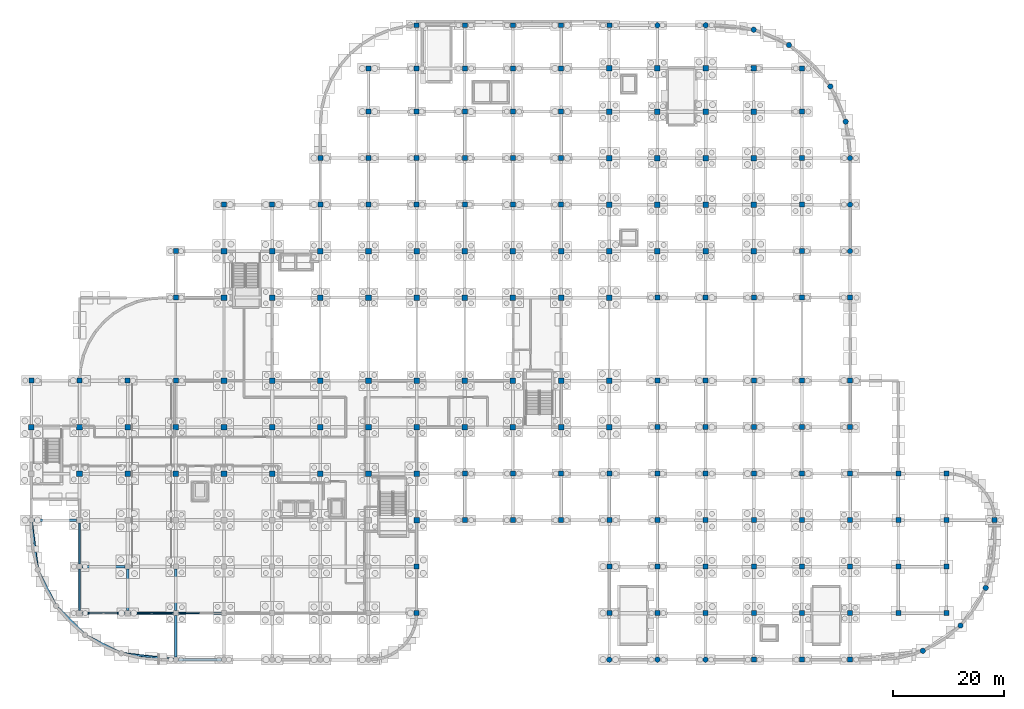
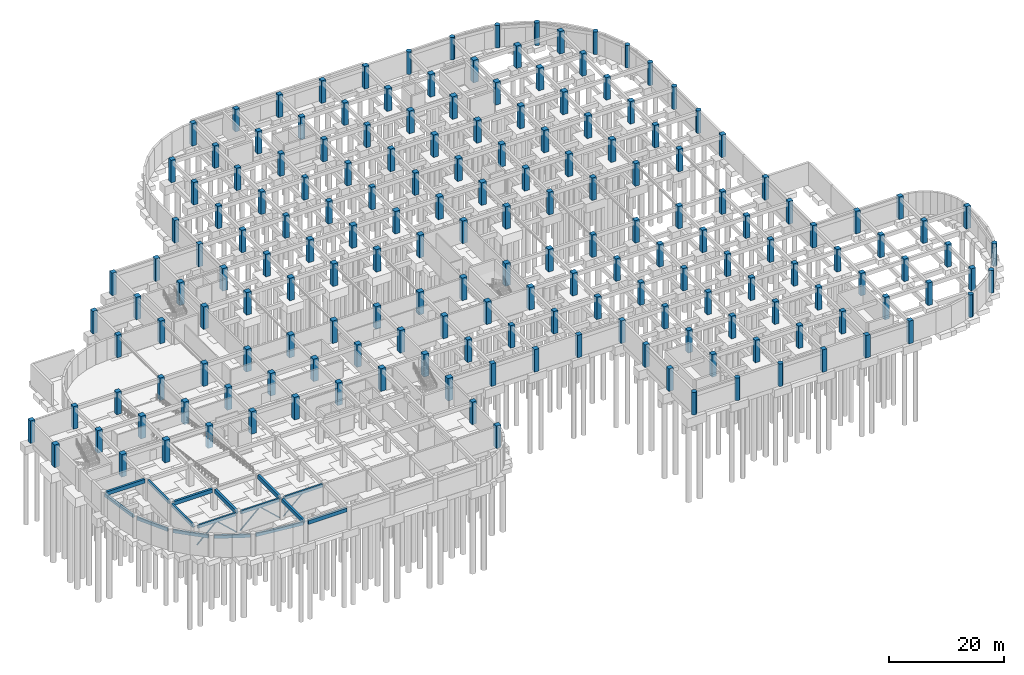
# One storey, part 15 of 33: 182 columns, 16 beams, 5 members.
"""IFC4 building model written with IfcOpenShell, lengths in metres."""

import ifcopenshell
import ifcopenshell.guid

model = None  # the IFC model being written
_history = None  # IfcOwnerHistory: only IFC2X3 demands one
_inside = {}  # id of a spatial element -> (the spatial element, [elements in it])
_under = {}  # id of a project, library or spatial element -> (it, [spatial elements below it])
_declared = {}  # id of a project -> (the project, [libraries it declares])
_typed = {}  # id of a type object -> (the type object, [elements of that type])
_made_of = {}  # id of a material, layer set ... -> (it, [elements and type objects made of it])


def new_model(schema):
    """Start an empty IFC model of exactly this schema.

    Asked for "IFC4X3", IfcOpenShell would pick the latest addendum, in which some entities
    have other attributes; the version numbers below select the first issue.
    IFC2X3 requires an IfcOwnerHistory on every rooted entity: one is made here for all.
    """
    global model, _history
    if schema == "IFC4X3":
        model = ifcopenshell.file(schema_version=(4, 3, 0, 0))
    else:
        model = ifcopenshell.file(schema=schema)
    _inside.clear()
    _under.clear()
    _declared.clear()
    _typed.clear()
    _made_of.clear()
    _history = None
    if model.schema == "IFC2X3":
        org = make("IfcOrganization", Name="unknown")
        user = make(
            "IfcPersonAndOrganization",
            ThePerson=make("IfcPerson", FamilyName="unknown"),
            TheOrganization=org,
        )
        app = make(
            "IfcApplication",
            ApplicationDeveloper=org,
            Version="unknown",
            ApplicationFullName="unknown",
            ApplicationIdentifier="unknown",
        )
        _history = make(
            "IfcOwnerHistory",
            OwningUser=user,
            OwningApplication=app,
            ChangeAction="ADDED",
            CreationDate=0,
        )
    return model


def make(cls, **values):
    """One entity of the class cls with the attributes given. An attribute that is None is left unset."""
    return model.create_entity(
        cls, **{name: value for name, value in values.items() if value is not None}
    )


def rooted(cls, **values):
    """An entity with a GlobalId (a new one), such as an element, a storey or a relation."""
    return make(cls, GlobalId=ifcopenshell.guid.new(), OwnerHistory=_history, **values)


def si_unit(unit_type, name, prefix=None):
    """IfcSIUnit, for example si_unit("LENGTHUNIT", "METRE", prefix="MILLI")."""
    return make("IfcSIUnit", UnitType=unit_type, Prefix=prefix, Name=name)


def derived_unit(unit_type, elements):
    """IfcDerivedUnit: a product of units, each with its exponent."""
    return make(
        "IfcDerivedUnit",
        Elements=[
            make("IfcDerivedUnitElement", Unit=unit, Exponent=power)
            for unit, power in elements
        ],
        UnitType=unit_type,
    )


def assignment(units):
    """IfcUnitAssignment: the units of a project."""
    return None if units is None else make("IfcUnitAssignment", Units=units)


def point(xyz):
    """IfcCartesianPoint."""
    return None if xyz is None else make("IfcCartesianPoint", Coordinates=xyz)


def direction(xyz):
    """IfcDirection."""
    return None if xyz is None else make("IfcDirection", DirectionRatios=xyz)


def frame(location, z_axis=None, x_axis=None):
    """IfcAxis2Placement3D, a coordinate frame: its origin and axes. An axis left out is left unset."""
    return make(
        "IfcAxis2Placement3D",
        Location=point(location),
        Axis=direction(z_axis),
        RefDirection=direction(x_axis),
    )


def frame_2d(location, x_axis=None):
    """IfcAxis2Placement2D, a coordinate frame in the plane: its origin and x axis."""
    return make(
        "IfcAxis2Placement2D", Location=point(location), RefDirection=direction(x_axis)
    )


def origin():
    """The frame at (0, 0, 0) with its axes left unset."""
    return frame((0.0, 0.0, 0.0))


def origin_2d():
    """The frame at (0, 0) in the plane with its x axis left unset."""
    return frame_2d((0.0, 0.0))


def place(relative_to, where):
    """IfcLocalPlacement: puts the frame where relative to a parent placement (None: the world)."""
    return make(
        "IfcLocalPlacement", PlacementRelTo=relative_to, RelativePlacement=where
    )


def context(
    kind, dimensions, precision=None, world=None, true_north=None, identifier=None
):
    """IfcGeometricRepresentationContext, for example the 3D "Model" context."""
    return make(
        "IfcGeometricRepresentationContext",
        ContextIdentifier=identifier,
        ContextType=kind,
        CoordinateSpaceDimension=dimensions,
        Precision=precision,
        WorldCoordinateSystem=world,
        TrueNorth=true_north,
    )


def subcontext(parent, identifier, kind, view, scale=None):
    """IfcGeometricRepresentationSubContext, for example "Body" below "Model"."""
    return make(
        "IfcGeometricRepresentationSubContext",
        ContextIdentifier=identifier,
        ContextType=kind,
        ParentContext=parent,
        TargetScale=scale,
        TargetView=view,
    )


def project(units=None, contexts=None):
    """IfcProject with its units and contexts."""
    return rooted(
        "IfcProject",
        Name="project",
        RepresentationContexts=contexts,
        UnitsInContext=assignment(units),
    )


def spatial(cls, under=None, at=None, **own):
    """A site, building, storey or space (cls), placed at a placement, below another one or the project."""
    s = rooted(cls, ObjectPlacement=at, **own)
    if under is not None:
        _under.setdefault(under.id(), (under, []))[1].append(s)
    return s


def profile(cls, at=None, kind="AREA", **sizes):
    """A parametric profile (cls). Its sizes go by their IFC names, for example OverallWidth=200.0."""
    return make(cls, ProfileType=kind, Position=at, **sizes)


def rectangle(**sizes):
    """IfcRectangleProfileDef."""
    return profile("IfcRectangleProfileDef", **sizes)


def hollow_rectangle(**sizes):
    """IfcRectangleHollowProfileDef."""
    return profile("IfcRectangleHollowProfileDef", **sizes)


def circle(**sizes):
    """IfcCircleProfileDef."""
    return profile("IfcCircleProfileDef", **sizes)


def hollow_circle(**sizes):
    """IfcCircleHollowProfileDef."""
    return profile("IfcCircleHollowProfileDef", **sizes)


def extrude(swept, where, along, depth):
    """IfcExtrudedAreaSolid: the profile swept, set in the frame where, extruded along a direction by depth."""
    return make(
        "IfcExtrudedAreaSolid",
        SweptArea=swept,
        Position=where,
        ExtrudedDirection=direction(along),
        Depth=depth,
    )


def shape(context_of_items, identifier, shape_type, items):
    """IfcShapeRepresentation: the items that make up one representation, for example the "Body"."""
    return make(
        "IfcShapeRepresentation",
        ContextOfItems=context_of_items,
        RepresentationIdentifier=identifier,
        RepresentationType=shape_type,
        Items=items,
    )


def material(Name=None, Category=None):
    """IfcMaterial."""
    return make("IfcMaterial", Name=Name, Category=Category)


def material_profile(
    of_material, cross_section, Name=None, Category=None, Priority=None
):
    """IfcMaterialProfile: a cross section and its material."""
    return make(
        "IfcMaterialProfile",
        Name=Name,
        Material=of_material,
        Profile=cross_section,
        Priority=Priority,
        Category=Category,
    )


def profile_set(profiles, Name=None, composite=None):
    """IfcMaterialProfileSet."""
    return make(
        "IfcMaterialProfileSet",
        Name=Name,
        MaterialProfiles=profiles,
        CompositeProfile=composite,
    )


def made_of(thing, what):
    """Note that an element or type object is made of a material, layer set ...; save() writes the relation."""
    if what is not None:
        _made_of.setdefault(what.id(), (what, []))[1].append(thing)
    return thing


def type_object(cls, material=None, **own):
    """A type object (cls), such as IfcWallType, which elements share."""
    return made_of(rooted(cls, **own), material)


def element(
    cls,
    number,
    at=None,
    inside=None,
    cuts=None,
    type_object=None,
    material=None,
    context=None,
    identifier="Body",
    shape_type=None,
    held_by="IfcProductDefinitionShape",
    body=None,
    shapes=None,
    **own,
):
    """One element of the class cls, such as IfcWall. Its Tag is "e" and its number.

    at: its placement. inside: the storey or other place that contains it. cuts: it is an
    opening in that element (IfcRelVoidsElement). A single representation is given by context,
    identifier, shape_type and body (its items); several are given by shapes. held_by: the class
    of the entity that holds the representations. save() writes the other relations.
    """
    e = rooted(cls, Tag="e%d" % number, ObjectPlacement=at, **own)
    if body is not None:
        shapes = [shape(context, identifier, shape_type, body)]
    if shapes is not None:
        e.Representation = make(held_by, Representations=shapes)
    if inside is not None:
        _inside.setdefault(inside.id(), (inside, []))[1].append(e)
    if cuts is not None:
        rooted(
            "IfcRelVoidsElement", RelatingBuildingElement=cuts, RelatedOpeningElement=e
        )
    if type_object is not None:
        _typed.setdefault(type_object.id(), (type_object, []))[1].append(e)
    return made_of(e, material)


def aggregate(whole, parts):
    """IfcRelAggregates: a whole, such as a stair, and the parts it consists of."""
    return rooted("IfcRelAggregates", RelatingObject=whole, RelatedObjects=parts)


def save(model, path):
    """Write the relations noted so far, then the file.

    IfcRelAggregates (storeys below a building ...), IfcRelContainedInSpatialStructure (elements
    in a storey), IfcRelDefinesByType, IfcRelAssociatesMaterial and IfcRelDeclares: one each for
    every whole, place, type object, material and project.
    """
    for whole, parts in _under.values():
        aggregate(whole, parts)
    for where, things in _inside.values():
        rooted(
            "IfcRelContainedInSpatialStructure",
            RelatedElements=things,
            RelatingStructure=where,
        )
    for kind, things in _typed.values():
        rooted("IfcRelDefinesByType", RelatedObjects=things, RelatingType=kind)
    for what, things in _made_of.values():
        rooted("IfcRelAssociatesMaterial", RelatedObjects=things, RelatingMaterial=what)
    for by, libraries in _declared.values():
        rooted("IfcRelDeclares", RelatingContext=by, RelatedDefinitions=libraries)
    model.write(path)


model = new_model("IFC4")

# Units and contexts
model_context = context("Model", 3, precision=1e-05, world=origin(), true_north=direction((0.0, 1.0)))
body_context = subcontext(model_context, "Body", "Model", "MODEL_VIEW")
ifc_project = project(units=[si_unit("LENGTHUNIT", "METRE"), si_unit("AREAUNIT", "SQUARE_METRE"), si_unit("VOLUMEUNIT", "CUBIC_METRE"), si_unit("PLANEANGLEUNIT", "RADIAN"), si_unit("MASSUNIT", "GRAM", prefix="KILO"), derived_unit("THERMALTRANSMITTANCEUNIT", [(si_unit("MASSUNIT", "GRAM", prefix="KILO"), 1), (si_unit("TIMEUNIT", "SECOND"), -3), (si_unit("THERMODYNAMICTEMPERATUREUNIT", "KELVIN"), -1)])], contexts=[model_context])

# Site, building, storey
site_placement = place(None, origin())
site = spatial("IfcSite", under=ifc_project, at=site_placement, CompositionType="ELEMENT")
building_placement = place(site_placement, origin())
building = spatial("IfcBuilding", under=site, at=building_placement, Name="Qinzheling Arcade Emporium", CompositionType="ELEMENT")
storey_placement = place(building_placement, frame((0.0, 0.0, -9.60009765625)))
storey = spatial("IfcBuildingStorey", under=building, at=storey_placement, Name="B2", CompositionType="ELEMENT", Elevation=-9.60009765625)

# Columns
ifc_material_1 = material(Name="Concrete C50", Category="concrete")
ifc_material_profile_1 = material_profile(ifc_material_1, circle(Radius=0.47509765625, at=origin_2d()), Name="RC D950", Category="concrete")
ifc_profile_set_1 = profile_set([ifc_material_profile_1], Name="Concrete C50")
column_type_1 = type_object("IfcColumnType", Name="Arcade Pier Column D950 C50", PredefinedType="PILASTER", material=ifc_profile_set_1)
for number, where, z_axis, x_axis, name in (
    (1, (104.39990234375, 0.0, 0.0), (0.0, 0.0, 1.0), (1.0, 0.0, 0.0), "Column COL-B2-13-A"),
    (2, (113.10009765625, 0.0, 0.0), (0.0, 0.0, 1.0), (1.0, 0.0, 0.0), "Column COL-B2-14-A"),
    (3, (113.10009765625, 114.60009765625, 0.0), (0.0, 0.0, 1.0), (1.0, 0.0, 0.0), "Column COL-B2-14-P"),
    (4, (121.800048828125, 0.0, 0.0), (0.0, 0.0, 1.0), (1.0, 0.0, 0.0), "Column COL-B2-15-A"),
    (5, (121.800048828125, 114.60009765625, 0.0), (0.0, 0.0, 1.0), (1.0, 0.0, 0.0), "Column COL-B2-15-P"),
    (6, (147.89990234375, 73.800048828125, 0.0), (0.0, 0.0, 1.0), (1.0, 0.0, 0.0), "Column COL-B2-18-J"),
    (7, (147.89990234375, 82.199951171875, 0.0), (0.0, 0.0, 1.0), (1.0, 0.0, 0.0), "Column COL-B2-18-K"),
    (8, (147.89990234375, 90.60009765625, 0.0), (0.0, 0.0, 1.0), (1.0, 0.0, 0.0), "Column COL-B2-18-L"),
    (9, (161.035888671875, 1.59912109375, 0.0), (0.0, 0.0, 1.0), (1.0, 0.0, 0.0), "Curved Arcade Pier COL-B2-CV4-P01"),
    (10, (167.84912109375, 6.15087890625, 0.0), (0.0, 0.0, 1.0), (1.0, 0.0, 0.0), "Curved Arcade Pier COL-B2-CV4-P02"),
    (11, (172.40087890625, 12.964111328125, 0.0), (0.0, 0.0, 1.0), (1.0, 0.0, 0.0), "Curved Arcade Pier COL-B2-CV4-P03"),
    (12, (147.09912109375, 97.181884765625, 0.0), (0.0, 0.0, 1.0), (1.0, 0.0, 0.0), "Curved Arcade Pier COL-B2-CV6-P01"),
    (13, (144.3291015625, 103.552978515625, 0.0), (0.0, 0.0, 1.0), (1.0, 0.0, 0.0), "Curved Arcade Pier COL-B2-CV6-P02"),
    (14, (136.85302734375, 111.029052734375, 0.0), (0.0, 0.0, 1.0), (1.0, 0.0, 0.0), "Curved Arcade Pier COL-B2-CV6-P03"),
    (15, (130.48193359375, 113.799072265625, 0.0), (0.0, 0.0, 1.0), (1.0, 0.0, 0.0), "Curved Arcade Pier COL-B2-CV6-P04"),
):
    element("IfcColumn", number, at=place(storey_placement, frame(where, z_axis=z_axis, x_axis=x_axis)), inside=storey, type_object=column_type_1, Name=name, PredefinedType="PILASTER", context=body_context, shape_type="SweptSolid", body=[
        extrude(circle(Radius=0.47509765625, at=origin_2d()), origin(), (0.0, 0.0, 1.0), 4.800048828125),
    ])
ifc_material_profile_2 = material_profile(ifc_material_1, rectangle(XDim=1.0, YDim=1.0, at=origin_2d()), Name="RC 1000x1000", Category="concrete")
ifc_profile_set_2 = profile_set([ifc_material_profile_2], Name="Concrete C50")
column_type_2 = type_object("IfcColumnType", Name="RC Column 1000x1000 C50", PredefinedType="COLUMN", material=ifc_profile_set_2)
for number, where, z_axis, x_axis, name in (
    (16, (0.0, 42.0, 0.0), (0.0, 0.0, 1.0), (1.0, 0.0, 0.0), "Column COL-B2-1-F"),
    (17, (8.699951171875, 33.60009765625, 0.0), (0.0, 0.0, 1.0), (1.0, 0.0, 0.0), "Column COL-B2-2-E"),
    (18, (8.699951171875, 42.0, 0.0), (0.0, 0.0, 1.0), (1.0, 0.0, 0.0), "Column COL-B2-2-F"),
    (19, (17.39990234375, 33.60009765625, 0.0), (0.0, 0.0, 1.0), (1.0, 0.0, 0.0), "Column COL-B2-3-E"),
    (20, (17.39990234375, 42.0, 0.0), (0.0, 0.0, 1.0), (1.0, 0.0, 0.0), "Column COL-B2-3-F"),
    (21, (26.10009765625, 33.60009765625, 0.0), (0.0, 0.0, 1.0), (1.0, 0.0, 0.0), "Column COL-B2-4-E"),
    (22, (26.10009765625, 42.0, 0.0), (0.0, 0.0, 1.0), (1.0, 0.0, 0.0), "Column COL-B2-4-F"),
    (23, (34.800048828125, 33.60009765625, 0.0), (0.0, 0.0, 1.0), (1.0, 0.0, 0.0), "Column COL-B2-5-E"),
    (24, (34.800048828125, 42.0, 0.0), (0.0, 0.0, 1.0), (1.0, 0.0, 0.0), "Column COL-B2-5-F"),
    (25, (34.800048828125, 50.39990234375, 0.0), (0.0, 0.0, 1.0), (1.0, 0.0, 0.0), "Column COL-B2-5-G"),
    (26, (34.800048828125, 65.39990234375, 0.0), (0.0, 0.0, 1.0), (1.0, 0.0, 0.0), "Column COL-B2-5-H"),
    (27, (34.800048828125, 73.800048828125, 0.0), (0.0, 0.0, 1.0), (1.0, 0.0, 0.0), "Column COL-B2-5-J"),
    (28, (43.5, 33.60009765625, 0.0), (0.0, 0.0, 1.0), (1.0, 0.0, 0.0), "Column COL-B2-6-E"),
    (29, (43.5, 42.0, 0.0), (0.0, 0.0, 1.0), (1.0, 0.0, 0.0), "Column COL-B2-6-F"),
    (30, (43.5, 50.39990234375, 0.0), (0.0, 0.0, 1.0), (1.0, 0.0, 0.0), "Column COL-B2-6-G"),
    (31, (43.5, 65.39990234375, 0.0), (0.0, 0.0, 1.0), (1.0, 0.0, 0.0), "Column COL-B2-6-H"),
    (32, (43.5, 73.800048828125, 0.0), (0.0, 0.0, 1.0), (1.0, 0.0, 0.0), "Column COL-B2-6-J"),
    (33, (52.199951171875, 33.60009765625, 0.0), (0.0, 0.0, 1.0), (1.0, 0.0, 0.0), "Column COL-B2-7-E"),
    (34, (52.199951171875, 42.0, 0.0), (0.0, 0.0, 1.0), (1.0, 0.0, 0.0), "Column COL-B2-7-F"),
    (35, (52.199951171875, 50.39990234375, 0.0), (0.0, 0.0, 1.0), (1.0, 0.0, 0.0), "Column COL-B2-7-G"),
    (36, (52.199951171875, 65.39990234375, 0.0), (0.0, 0.0, 1.0), (1.0, 0.0, 0.0), "Column COL-B2-7-H"),
    (37, (52.199951171875, 73.800048828125, 0.0), (0.0, 0.0, 1.0), (1.0, 0.0, 0.0), "Column COL-B2-7-J"),
    (38, (60.89990234375, 33.60009765625, 0.0), (0.0, 0.0, 1.0), (1.0, 0.0, 0.0), "Column COL-B2-8-E"),
    (39, (60.89990234375, 42.0, 0.0), (0.0, 0.0, 1.0), (1.0, 0.0, 0.0), "Column COL-B2-8-F"),
    (40, (60.89990234375, 50.39990234375, 0.0), (0.0, 0.0, 1.0), (1.0, 0.0, 0.0), "Column COL-B2-8-G"),
    (41, (60.89990234375, 65.39990234375, 0.0), (0.0, 0.0, 1.0), (1.0, 0.0, 0.0), "Column COL-B2-8-H"),
    (42, (60.89990234375, 73.800048828125, 0.0), (0.0, 0.0, 1.0), (1.0, 0.0, 0.0), "Column COL-B2-8-J"),
    (43, (69.60009765625, 25.199951171875, 0.0), (0.0, 0.0, 1.0), (1.0, 0.0, 0.0), "Column COL-B2-9-D"),
    (44, (69.60009765625, 33.60009765625, 0.0), (0.0, 0.0, 1.0), (1.0, 0.0, 0.0), "Column COL-B2-9-E"),
    (45, (69.60009765625, 42.0, 0.0), (0.0, 0.0, 1.0), (1.0, 0.0, 0.0), "Column COL-B2-9-F"),
    (46, (69.60009765625, 50.39990234375, 0.0), (0.0, 0.0, 1.0), (1.0, 0.0, 0.0), "Column COL-B2-9-G"),
    (47, (69.60009765625, 65.39990234375, 0.0), (0.0, 0.0, 1.0), (1.0, 0.0, 0.0), "Column COL-B2-9-H"),
    (48, (69.60009765625, 73.800048828125, 0.0), (0.0, 0.0, 1.0), (1.0, 0.0, 0.0), "Column COL-B2-9-J"),
    (49, (78.300048828125, 42.0, 0.0), (0.0, 0.0, 1.0), (1.0, 0.0, 0.0), "Column COL-B2-10-F"),
    (50, (78.300048828125, 50.39990234375, 0.0), (0.0, 0.0, 1.0), (1.0, 0.0, 0.0), "Column COL-B2-10-G"),
    (51, (78.300048828125, 65.39990234375, 0.0), (0.0, 0.0, 1.0), (1.0, 0.0, 0.0), "Column COL-B2-10-H"),
    (52, (78.300048828125, 73.800048828125, 0.0), (0.0, 0.0, 1.0), (1.0, 0.0, 0.0), "Column COL-B2-10-J"),
    (53, (87.0, 42.0, 0.0), (0.0, 0.0, 1.0), (1.0, 0.0, 0.0), "Column COL-B2-11-F"),
    (54, (87.0, 50.39990234375, 0.0), (0.0, 0.0, 1.0), (1.0, 0.0, 0.0), "Column COL-B2-11-G"),
    (55, (87.0, 65.39990234375, 0.0), (0.0, 0.0, 1.0), (1.0, 0.0, 0.0), "Column COL-B2-11-H"),
    (56, (87.0, 73.800048828125, 0.0), (0.0, 0.0, 1.0), (1.0, 0.0, 0.0), "Column COL-B2-11-J"),
    (57, (95.699951171875, 42.0, 0.0), (0.0, 0.0, 1.0), (1.0, 0.0, 0.0), "Column COL-B2-12-F"),
    (58, (95.699951171875, 50.39990234375, 0.0), (0.0, 0.0, 1.0), (1.0, 0.0, 0.0), "Column COL-B2-12-G"),
    (59, (95.699951171875, 65.39990234375, 0.0), (0.0, 0.0, 1.0), (1.0, 0.0, 0.0), "Column COL-B2-12-H"),
    (60, (95.699951171875, 73.800048828125, 0.0), (0.0, 0.0, 1.0), (1.0, 0.0, 0.0), "Column COL-B2-12-J"),
    (61, (104.39990234375, 42.0, 0.0), (0.0, 0.0, 1.0), (1.0, 0.0, 0.0), "Column COL-B2-13-F"),
    (62, (104.39990234375, 50.39990234375, 0.0), (0.0, 0.0, 1.0), (1.0, 0.0, 0.0), "Column COL-B2-13-G"),
    (63, (104.39990234375, 65.39990234375, 0.0), (0.0, 0.0, 1.0), (1.0, 0.0, 0.0), "Column COL-B2-13-H"),
    (64, (104.39990234375, 73.800048828125, 0.0), (0.0, 0.0, 1.0), (1.0, 0.0, 0.0), "Column COL-B2-13-J"),
    (65, (104.39990234375, 82.199951171875, 0.0), (0.0, 0.0, 1.0), (1.0, 0.0, 0.0), "Column COL-B2-13-K"),
    (66, (104.39990234375, 90.60009765625, 0.0), (0.0, 0.0, 1.0), (1.0, 0.0, 0.0), "Column COL-B2-13-L"),
    (67, (104.39990234375, 99.0, 0.0), (0.0, 0.0, 1.0), (1.0, 0.0, 0.0), "Column COL-B2-13-M"),
    (68, (104.39990234375, 106.800048828125, 0.0), (0.0, 0.0, 1.0), (1.0, 0.0, 0.0), "Column COL-B2-13-N"),
    (69, (113.10009765625, 73.800048828125, 0.0), (0.0, 0.0, 1.0), (1.0, 0.0, 0.0), "Column COL-B2-14-J"),
    (70, (113.10009765625, 82.199951171875, 0.0), (0.0, 0.0, 1.0), (1.0, 0.0, 0.0), "Column COL-B2-14-K"),
    (71, (113.10009765625, 90.60009765625, 0.0), (0.0, 0.0, 1.0), (1.0, 0.0, 0.0), "Column COL-B2-14-L"),
    (72, (113.10009765625, 99.0, 0.0), (0.0, 0.0, 1.0), (1.0, 0.0, 0.0), "Column COL-B2-14-M"),
    (73, (113.10009765625, 106.800048828125, 0.0), (0.0, 0.0, 1.0), (1.0, 0.0, 0.0), "Column COL-B2-14-N"),
    (74, (121.800048828125, 73.800048828125, 0.0), (0.0, 0.0, 1.0), (1.0, 0.0, 0.0), "Column COL-B2-15-J"),
    (75, (121.800048828125, 82.199951171875, 0.0), (0.0, 0.0, 1.0), (1.0, 0.0, 0.0), "Column COL-B2-15-K"),
    (76, (121.800048828125, 90.60009765625, 0.0), (0.0, 0.0, 1.0), (1.0, 0.0, 0.0), "Column COL-B2-15-L"),
    (77, (121.800048828125, 99.0, 0.0), (0.0, 0.0, 1.0), (1.0, 0.0, 0.0), "Column COL-B2-15-M"),
    (78, (121.800048828125, 106.800048828125, 0.0), (0.0, 0.0, 1.0), (1.0, 0.0, 0.0), "Column COL-B2-15-N"),
    (79, (130.5, 73.800048828125, 0.0), (0.0, 0.0, 1.0), (1.0, 0.0, 0.0), "Column COL-B2-16-J"),
    (80, (130.5, 82.199951171875, 0.0), (0.0, 0.0, 1.0), (1.0, 0.0, 0.0), "Column COL-B2-16-K"),
    (81, (130.5, 90.60009765625, 0.0), (0.0, 0.0, 1.0), (1.0, 0.0, 0.0), "Column COL-B2-16-L"),
    (82, (130.5, 99.0, 0.0), (0.0, 0.0, 1.0), (1.0, 0.0, 0.0), "Column COL-B2-16-M"),
    (83, (130.5, 106.800048828125, 0.0), (0.0, 0.0, 1.0), (1.0, 0.0, 0.0), "Column COL-B2-16-N"),
):
    element("IfcColumn", number, at=place(storey_placement, frame(where, z_axis=z_axis, x_axis=x_axis)), inside=storey, type_object=column_type_2, Name=name, PredefinedType="COLUMN", context=body_context, shape_type="SweptSolid", body=[
        extrude(rectangle(XDim=1.0, YDim=1.0, at=origin_2d()), origin(), (0.0, 0.0, 1.0), 4.800048828125),
    ])
ifc_material_profile_3 = material_profile(ifc_material_1, rectangle(XDim=0.89990234375, YDim=0.89990234375, at=origin_2d()), Name="RC 900x900", Category="concrete")
ifc_profile_set_3 = profile_set([ifc_material_profile_3], Name="Concrete C50")
column_type_3 = type_object("IfcColumnType", Name="RC Column 900x900 C50", PredefinedType="COLUMN", material=ifc_profile_set_3)
for number, where, z_axis, x_axis, name in (
    (84, (0.0, 50.39990234375, 0.0), (0.0, 0.0, 1.0), (1.0, 0.0, 0.0), "Column COL-B2-1-G"),
    (85, (8.699951171875, 50.39990234375, 0.0), (0.0, 0.0, 1.0), (1.0, 0.0, 0.0), "Column COL-B2-2-G"),
    (86, (17.39990234375, 50.39990234375, 0.0), (0.0, 0.0, 1.0), (1.0, 0.0, 0.0), "Column COL-B2-3-G"),
    (87, (26.10009765625, 50.39990234375, 0.0), (0.0, 0.0, 1.0), (1.0, 0.0, 0.0), "Column COL-B2-4-G"),
    (88, (26.10009765625, 65.39990234375, 0.0), (0.0, 0.0, 1.0), (1.0, 0.0, 0.0), "Column COL-B2-4-H"),
    (89, (26.10009765625, 73.800048828125, 0.0), (0.0, 0.0, 1.0), (1.0, 0.0, 0.0), "Column COL-B2-4-J"),
    (90, (34.800048828125, 82.199951171875, 0.0), (0.0, 0.0, 1.0), (1.0, 0.0, 0.0), "Column COL-B2-5-K"),
    (91, (43.5, 82.199951171875, 0.0), (0.0, 0.0, 1.0), (1.0, 0.0, 0.0), "Column COL-B2-6-K"),
    (92, (52.199951171875, 82.199951171875, 0.0), (0.0, 0.0, 1.0), (1.0, 0.0, 0.0), "Column COL-B2-7-K"),
    (93, (52.199951171875, 90.60009765625, 0.0), (0.0, 0.0, 1.0), (1.0, 0.0, 0.0), "Column COL-B2-7-L"),
    (94, (60.89990234375, 82.199951171875, 0.0), (0.0, 0.0, 1.0), (1.0, 0.0, 0.0), "Column COL-B2-8-K"),
    (95, (60.89990234375, 90.60009765625, 0.0), (0.0, 0.0, 1.0), (1.0, 0.0, 0.0), "Column COL-B2-8-L"),
    (96, (60.89990234375, 99.0, 0.0), (0.0, 0.0, 1.0), (1.0, 0.0, 0.0), "Column COL-B2-8-M"),
    (97, (60.89990234375, 106.800048828125, 0.0), (0.0, 0.0, 1.0), (1.0, 0.0, 0.0), "Column COL-B2-8-N"),
    (98, (69.60009765625, 8.39990234375, 0.0), (0.0, 0.0, 1.0), (1.0, 0.0, 0.0), "Column COL-B2-9-B"),
    (99, (69.60009765625, 16.800048828125, 0.0), (0.0, 0.0, 1.0), (1.0, 0.0, 0.0), "Column COL-B2-9-C"),
    (100, (69.60009765625, 82.199951171875, 0.0), (0.0, 0.0, 1.0), (1.0, 0.0, 0.0), "Column COL-B2-9-K"),
    (101, (69.60009765625, 90.60009765625, 0.0), (0.0, 0.0, 1.0), (1.0, 0.0, 0.0), "Column COL-B2-9-L"),
    (102, (69.60009765625, 99.0, 0.0), (0.0, 0.0, 1.0), (1.0, 0.0, 0.0), "Column COL-B2-9-M"),
    (103, (69.60009765625, 106.800048828125, 0.0), (0.0, 0.0, 1.0), (1.0, 0.0, 0.0), "Column COL-B2-9-N"),
    (104, (69.60009765625, 114.60009765625, 0.0), (0.0, 0.0, 1.0), (1.0, 0.0, 0.0), "Column COL-B2-9-P"),
    (105, (78.300048828125, 25.199951171875, 0.0), (0.0, 0.0, 1.0), (1.0, 0.0, 0.0), "Column COL-B2-10-D"),
    (106, (78.300048828125, 33.60009765625, 0.0), (0.0, 0.0, 1.0), (1.0, 0.0, 0.0), "Column COL-B2-10-E"),
    (107, (78.300048828125, 82.199951171875, 0.0), (0.0, 0.0, 1.0), (1.0, 0.0, 0.0), "Column COL-B2-10-K"),
    (108, (78.300048828125, 90.60009765625, 0.0), (0.0, 0.0, 1.0), (1.0, 0.0, 0.0), "Column COL-B2-10-L"),
    (109, (78.300048828125, 99.0, 0.0), (0.0, 0.0, 1.0), (1.0, 0.0, 0.0), "Column COL-B2-10-M"),
    (110, (78.300048828125, 106.800048828125, 0.0), (0.0, 0.0, 1.0), (1.0, 0.0, 0.0), "Column COL-B2-10-N"),
    (111, (78.300048828125, 114.60009765625, 0.0), (0.0, 0.0, 1.0), (1.0, 0.0, 0.0), "Column COL-B2-10-P"),
    (112, (87.0, 25.199951171875, 0.0), (0.0, 0.0, 1.0), (1.0, 0.0, 0.0), "Column COL-B2-11-D"),
    (113, (87.0, 33.60009765625, 0.0), (0.0, 0.0, 1.0), (1.0, 0.0, 0.0), "Column COL-B2-11-E"),
    (114, (87.0, 82.199951171875, 0.0), (0.0, 0.0, 1.0), (1.0, 0.0, 0.0), "Column COL-B2-11-K"),
    (115, (87.0, 90.60009765625, 0.0), (0.0, 0.0, 1.0), (1.0, 0.0, 0.0), "Column COL-B2-11-L"),
    (116, (87.0, 99.0, 0.0), (0.0, 0.0, 1.0), (1.0, 0.0, 0.0), "Column COL-B2-11-M"),
    (117, (87.0, 106.800048828125, 0.0), (0.0, 0.0, 1.0), (1.0, 0.0, 0.0), "Column COL-B2-11-N"),
    (118, (87.0, 114.60009765625, 0.0), (0.0, 0.0, 1.0), (1.0, 0.0, 0.0), "Column COL-B2-11-P"),
    (119, (95.699951171875, 25.199951171875, 0.0), (0.0, 0.0, 1.0), (1.0, 0.0, 0.0), "Column COL-B2-12-D"),
    (120, (95.699951171875, 33.60009765625, 0.0), (0.0, 0.0, 1.0), (1.0, 0.0, 0.0), "Column COL-B2-12-E"),
    (121, (95.699951171875, 82.199951171875, 0.0), (0.0, 0.0, 1.0), (1.0, 0.0, 0.0), "Column COL-B2-12-K"),
    (122, (95.699951171875, 90.60009765625, 0.0), (0.0, 0.0, 1.0), (1.0, 0.0, 0.0), "Column COL-B2-12-L"),
    (123, (95.699951171875, 99.0, 0.0), (0.0, 0.0, 1.0), (1.0, 0.0, 0.0), "Column COL-B2-12-M"),
    (124, (95.699951171875, 106.800048828125, 0.0), (0.0, 0.0, 1.0), (1.0, 0.0, 0.0), "Column COL-B2-12-N"),
    (125, (95.699951171875, 114.60009765625, 0.0), (0.0, 0.0, 1.0), (1.0, 0.0, 0.0), "Column COL-B2-12-P"),
    (126, (104.39990234375, 8.39990234375, 0.0), (0.0, 0.0, 1.0), (1.0, 0.0, 0.0), "Column COL-B2-13-B"),
    (127, (104.39990234375, 16.800048828125, 0.0), (0.0, 0.0, 1.0), (1.0, 0.0, 0.0), "Column COL-B2-13-C"),
    (128, (104.39990234375, 25.199951171875, 0.0), (0.0, 0.0, 1.0), (1.0, 0.0, 0.0), "Column COL-B2-13-D"),
    (129, (104.39990234375, 33.60009765625, 0.0), (0.0, 0.0, 1.0), (1.0, 0.0, 0.0), "Column COL-B2-13-E"),
    (130, (104.39990234375, 114.60009765625, 0.0), (0.0, 0.0, 1.0), (1.0, 0.0, 0.0), "Column COL-B2-13-P"),
    (131, (113.10009765625, 8.39990234375, 0.0), (0.0, 0.0, 1.0), (1.0, 0.0, 0.0), "Column COL-B2-14-B"),
    (132, (113.10009765625, 16.800048828125, 0.0), (0.0, 0.0, 1.0), (1.0, 0.0, 0.0), "Column COL-B2-14-C"),
    (133, (113.10009765625, 25.199951171875, 0.0), (0.0, 0.0, 1.0), (1.0, 0.0, 0.0), "Column COL-B2-14-D"),
    (134, (113.10009765625, 33.60009765625, 0.0), (0.0, 0.0, 1.0), (1.0, 0.0, 0.0), "Column COL-B2-14-E"),
    (135, (113.10009765625, 42.0, 0.0), (0.0, 0.0, 1.0), (1.0, 0.0, 0.0), "Column COL-B2-14-F"),
    (136, (113.10009765625, 50.39990234375, 0.0), (0.0, 0.0, 1.0), (1.0, 0.0, 0.0), "Column COL-B2-14-G"),
    (137, (113.10009765625, 65.39990234375, 0.0), (0.0, 0.0, 1.0), (1.0, 0.0, 0.0), "Column COL-B2-14-H"),
    (138, (121.800048828125, 8.39990234375, 0.0), (0.0, 0.0, 1.0), (1.0, 0.0, 0.0), "Column COL-B2-15-B"),
    (139, (121.800048828125, 16.800048828125, 0.0), (0.0, 0.0, 1.0), (1.0, 0.0, 0.0), "Column COL-B2-15-C"),
    (140, (121.800048828125, 25.199951171875, 0.0), (0.0, 0.0, 1.0), (1.0, 0.0, 0.0), "Column COL-B2-15-D"),
    (141, (121.800048828125, 33.60009765625, 0.0), (0.0, 0.0, 1.0), (1.0, 0.0, 0.0), "Column COL-B2-15-E"),
    (142, (121.800048828125, 42.0, 0.0), (0.0, 0.0, 1.0), (1.0, 0.0, 0.0), "Column COL-B2-15-F"),
    (143, (121.800048828125, 50.39990234375, 0.0), (0.0, 0.0, 1.0), (1.0, 0.0, 0.0), "Column COL-B2-15-G"),
    (144, (121.800048828125, 65.39990234375, 0.0), (0.0, 0.0, 1.0), (1.0, 0.0, 0.0), "Column COL-B2-15-H"),
    (145, (130.5, 0.0, 0.0), (0.0, 0.0, 1.0), (1.0, 0.0, 0.0), "Column COL-B2-16-A"),
    (146, (130.5, 8.39990234375, 0.0), (0.0, 0.0, 1.0), (1.0, 0.0, 0.0), "Column COL-B2-16-B"),
    (147, (130.5, 16.800048828125, 0.0), (0.0, 0.0, 1.0), (1.0, 0.0, 0.0), "Column COL-B2-16-C"),
    (148, (130.5, 25.199951171875, 0.0), (0.0, 0.0, 1.0), (1.0, 0.0, 0.0), "Column COL-B2-16-D"),
    (149, (130.5, 33.60009765625, 0.0), (0.0, 0.0, 1.0), (1.0, 0.0, 0.0), "Column COL-B2-16-E"),
    (150, (130.5, 42.0, 0.0), (0.0, 0.0, 1.0), (1.0, 0.0, 0.0), "Column COL-B2-16-F"),
    (151, (130.5, 50.39990234375, 0.0), (0.0, 0.0, 1.0), (1.0, 0.0, 0.0), "Column COL-B2-16-G"),
    (152, (130.5, 65.39990234375, 0.0), (0.0, 0.0, 1.0), (1.0, 0.0, 0.0), "Column COL-B2-16-H"),
    (153, (139.199951171875, 0.0, 0.0), (0.0, 0.0, 1.0), (1.0, 0.0, 0.0), "Column COL-B2-17-A"),
    (154, (139.199951171875, 8.39990234375, 0.0), (0.0, 0.0, 1.0), (1.0, 0.0, 0.0), "Column COL-B2-17-B"),
    (155, (139.199951171875, 16.800048828125, 0.0), (0.0, 0.0, 1.0), (1.0, 0.0, 0.0), "Column COL-B2-17-C"),
    (156, (139.199951171875, 25.199951171875, 0.0), (0.0, 0.0, 1.0), (1.0, 0.0, 0.0), "Column COL-B2-17-D"),
    (157, (139.199951171875, 33.60009765625, 0.0), (0.0, 0.0, 1.0), (1.0, 0.0, 0.0), "Column COL-B2-17-E"),
    (158, (139.199951171875, 42.0, 0.0), (0.0, 0.0, 1.0), (1.0, 0.0, 0.0), "Column COL-B2-17-F"),
    (159, (139.199951171875, 50.39990234375, 0.0), (0.0, 0.0, 1.0), (1.0, 0.0, 0.0), "Column COL-B2-17-G"),
    (160, (139.199951171875, 65.39990234375, 0.0), (0.0, 0.0, 1.0), (1.0, 0.0, 0.0), "Column COL-B2-17-H"),
    (161, (139.199951171875, 73.800048828125, 0.0), (0.0, 0.0, 1.0), (1.0, 0.0, 0.0), "Column COL-B2-17-J"),
    (162, (139.199951171875, 82.199951171875, 0.0), (0.0, 0.0, 1.0), (1.0, 0.0, 0.0), "Column COL-B2-17-K"),
    (163, (139.199951171875, 90.60009765625, 0.0), (0.0, 0.0, 1.0), (1.0, 0.0, 0.0), "Column COL-B2-17-L"),
    (164, (139.199951171875, 99.0, 0.0), (0.0, 0.0, 1.0), (1.0, 0.0, 0.0), "Column COL-B2-17-M"),
    (165, (139.199951171875, 106.800048828125, 0.0), (0.0, 0.0, 1.0), (1.0, 0.0, 0.0), "Column COL-B2-17-N"),
    (166, (147.89990234375, 0.0, 0.0), (0.0, 0.0, 1.0), (1.0, 0.0, 0.0), "Column COL-B2-18-A"),
    (167, (147.89990234375, 8.39990234375, 0.0), (0.0, 0.0, 1.0), (1.0, 0.0, 0.0), "Column COL-B2-18-B"),
    (168, (147.89990234375, 16.800048828125, 0.0), (0.0, 0.0, 1.0), (1.0, 0.0, 0.0), "Column COL-B2-18-C"),
    (169, (147.89990234375, 25.199951171875, 0.0), (0.0, 0.0, 1.0), (1.0, 0.0, 0.0), "Column COL-B2-18-D"),
    (170, (147.89990234375, 33.60009765625, 0.0), (0.0, 0.0, 1.0), (1.0, 0.0, 0.0), "Column COL-B2-18-E"),
    (171, (147.89990234375, 42.0, 0.0), (0.0, 0.0, 1.0), (1.0, 0.0, 0.0), "Column COL-B2-18-F"),
    (172, (147.89990234375, 50.39990234375, 0.0), (0.0, 0.0, 1.0), (1.0, 0.0, 0.0), "Column COL-B2-18-G"),
    (173, (147.89990234375, 65.39990234375, 0.0), (0.0, 0.0, 1.0), (1.0, 0.0, 0.0), "Column COL-B2-18-H"),
    (174, (156.60009765625, 8.39990234375, 0.0), (0.0, 0.0, 1.0), (1.0, 0.0, 0.0), "Column COL-B2-19-B"),
    (175, (156.60009765625, 16.800048828125, 0.0), (0.0, 0.0, 1.0), (1.0, 0.0, 0.0), "Column COL-B2-19-C"),
    (176, (156.60009765625, 25.199951171875, 0.0), (0.0, 0.0, 1.0), (1.0, 0.0, 0.0), "Column COL-B2-19-D"),
    (177, (156.60009765625, 33.60009765625, 0.0), (0.0, 0.0, 1.0), (1.0, 0.0, 0.0), "Column COL-B2-19-E"),
    (178, (165.300048828125, 8.39990234375, 0.0), (0.0, 0.0, 1.0), (1.0, 0.0, 0.0), "Column COL-B2-20-B"),
    (179, (165.300048828125, 16.800048828125, 0.0), (0.0, 0.0, 1.0), (1.0, 0.0, 0.0), "Column COL-B2-20-C"),
    (180, (165.300048828125, 25.199951171875, 0.0), (0.0, 0.0, 1.0), (1.0, 0.0, 0.0), "Column COL-B2-20-D"),
    (181, (165.300048828125, 33.60009765625, 0.0), (0.0, 0.0, 1.0), (1.0, 0.0, 0.0), "Column COL-B2-20-E"),
    (182, (174.0, 25.199951171875, 0.0), (0.0, 0.0, 1.0), (1.0, 0.0, 0.0), "Column COL-B2-21-D"),
):
    element("IfcColumn", number, at=place(storey_placement, frame(where, z_axis=z_axis, x_axis=x_axis)), inside=storey, type_object=column_type_3, Name=name, PredefinedType="COLUMN", context=body_context, shape_type="SweptSolid", body=[
        extrude(rectangle(XDim=0.89990234375, YDim=0.89990234375, at=origin_2d()), origin(), (0.0, 0.0, 1.0), 4.800048828125),
    ])

# Member
ifc_material_2 = material(Name="Weathering steel Q355NH", Category="steel")
ifc_material_profile_4 = material_profile(ifc_material_2, hollow_circle(Radius=0.109619140625, WallThickness=0.010009765625, at=origin_2d()), Name="CHS 219x10", Category="steel")
ifc_profile_set_4 = profile_set([ifc_material_profile_4], Name="Weathering steel Q355NH")
member_type_1 = type_object("IfcMemberType", Name="Lateral Frame Wind Brace CHS219 Q355NH", PredefinedType="BRACE", material=ifc_profile_set_4)
member_placement = place(storey_placement, frame((26.449951171875, 8.39990234375, 0.25), z_axis=(0.734081571746, 0.0, 0.679061297692), x_axis=(0.0, 1.0, 0.0)))
element("IfcMember", 183, at=member_placement, inside=storey, type_object=member_type_1, Name="Chevron Frame Brace FRM-BRC-B2-01-1", PredefinedType="BRACE", context=body_context, shape_type="SweptSolid", body=[
    extrude(hollow_circle(Radius=0.109619140625, WallThickness=0.010009765625, at=origin_2d()), origin(), (0.0, 0.0, 1.0), 5.448974609375),
])

# Beams
ifc_material_3 = material(Name="Concrete C40", Category="concrete")
ifc_material_profile_5 = material_profile(ifc_material_3, rectangle(XDim=0.449951171875, YDim=0.800048828125, at=origin_2d()), Name="RC 450x800", Category="concrete")
ifc_profile_set_5 = profile_set([ifc_material_profile_5], Name="Concrete C40")
beam_type_1 = type_object("IfcBeamType", Name="RC Primary Frame Beam 450x800 C40", PredefinedType="BEAM", material=ifc_profile_set_5)
beam_1_placement = place(storey_placement, frame((26.574951171875, 0.0, 4.1201171875), z_axis=(1.0, 0.0, 0.0), x_axis=(0.0, 1.0, 0.0)))
element("IfcBeam", 184, at=beam_1_placement, inside=storey, type_object=beam_type_1, Name="Beam BM-B2-X-A-4", PredefinedType="BEAM", context=body_context, shape_type="SweptSolid", body=[
    extrude(rectangle(XDim=0.449951171875, YDim=0.800048828125, at=origin_2d()), origin(), (0.0, 0.0, 1.0), 7.75),
])
beam_2_placement = place(storey_placement, frame((9.14990234375, 16.800048828125, 4.080078125), z_axis=(1.0, 0.0, 0.0), x_axis=(0.0, 1.0, 0.0)))
element("IfcBeam", 185, at=beam_2_placement, inside=storey, type_object=beam_type_1, Name="Beam BM-B2-X-C-2", PredefinedType="BEAM", context=body_context, shape_type="SweptSolid", body=[
    extrude(rectangle(XDim=0.449951171875, YDim=0.800048828125, at=origin_2d()), origin(), (0.0, 0.0, 1.0), 7.800048828125),
])
beam_3_placement = place(storey_placement, frame((0.47509765625, 25.199951171875, 4.1201171875), z_axis=(1.0, 0.0, 0.0), x_axis=(0.0, 1.0, 0.0)))
element("IfcBeam", 186, at=beam_3_placement, inside=storey, type_object=beam_type_1, Name="Beam BM-B2-X-D-1", PredefinedType="BEAM", context=body_context, shape_type="SweptSolid", body=[
    extrude(rectangle(XDim=0.449951171875, YDim=0.800048828125, at=origin_2d()), origin(), (0.0, 0.0, 1.0), 7.724853515625),
])
beam_4_placement = place(storey_placement, frame((17.39990234375, 8.89990234375, 4.080078125), z_axis=(0.0, 1.0, 0.0), x_axis=(-1.0, 0.0, 0.0)))
element("IfcBeam", 187, at=beam_4_placement, inside=storey, type_object=beam_type_1, Name="Beam BM-B2-Y-3-B", PredefinedType="BEAM", context=body_context, shape_type="SweptSolid", body=[
    extrude(rectangle(XDim=0.449951171875, YDim=0.800048828125, at=origin_2d()), origin(), (0.0, 0.0, 1.0), 7.4501953125),
])
beam_5_placement = place(storey_placement, frame((26.10009765625, 0.47509765625, 4.1201171875), z_axis=(0.0, 1.0, 0.0), x_axis=(-1.0, 0.0, 0.0)))
element("IfcBeam", 188, at=beam_5_placement, inside=storey, type_object=beam_type_1, Name="Beam BM-B2-Y-4-A", PredefinedType="BEAM", context=body_context, shape_type="SweptSolid", body=[
    extrude(rectangle(XDim=0.449951171875, YDim=0.800048828125, at=origin_2d()), origin(), (0.0, 0.0, 1.0), 7.474853515625),
])
beam_6_placement = place(storey_placement, frame((26.10009765625, 8.85009765625, 4.080078125), z_axis=(0.0, 1.0, 0.0), x_axis=(-1.0, 0.0, 0.0)))
element("IfcBeam", 189, at=beam_6_placement, inside=storey, type_object=beam_type_1, Name="Beam BM-B2-Y-4-B", PredefinedType="BEAM", context=body_context, shape_type="SweptSolid", body=[
    extrude(rectangle(XDim=0.449951171875, YDim=0.800048828125, at=origin_2d()), origin(), (0.0, 0.0, 1.0), 7.5),
])
ifc_material_profile_6 = material_profile(ifc_material_3, rectangle(XDim=0.35009765625, YDim=0.64990234375, at=origin_2d()), Name="RC 350x650", Category="concrete")
ifc_profile_set_6 = profile_set([ifc_material_profile_6], Name="Concrete C40")
beam_type_2 = type_object("IfcBeamType", Name="RC Spandrel Edge Beam 350x650 C40", PredefinedType="SPANDREL", material=ifc_profile_set_6)
beam_7_placement = place(storey_placement, frame((9.199951171875, 8.39990234375, 4.155029296875), z_axis=(1.0, 0.0, 0.0), x_axis=(0.0, 1.0, 0.0)))
element("IfcBeam", 190, at=beam_7_placement, inside=storey, type_object=beam_type_2, Name="Beam BM-B2-X-B-2", PredefinedType="SPANDREL", context=body_context, shape_type="SweptSolid", body=[
    extrude(rectangle(XDim=0.35009765625, YDim=0.64990234375, at=origin_2d()), origin(), (0.0, 0.0, 1.0), 7.699951171875),
])
beam_8_placement = place(storey_placement, frame((17.89990234375, 8.39990234375, 4.155029296875), z_axis=(1.0, 0.0, 0.0), x_axis=(0.0, 1.0, 0.0)))
element("IfcBeam", 191, at=beam_8_placement, inside=storey, type_object=beam_type_2, Name="Beam BM-B2-X-B-3", PredefinedType="SPANDREL", context=body_context, shape_type="SweptSolid", body=[
    extrude(rectangle(XDim=0.35009765625, YDim=0.64990234375, at=origin_2d()), origin(), (0.0, 0.0, 1.0), 7.75),
])
beam_9_placement = place(storey_placement, frame((26.550048828125, 8.39990234375, 4.155029296875), z_axis=(1.0, 0.0, 0.0), x_axis=(0.0, 1.0, 0.0)))
element("IfcBeam", 192, at=beam_9_placement, inside=storey, type_object=beam_type_2, Name="Beam BM-B2-X-B-4", PredefinedType="SPANDREL", context=body_context, shape_type="SweptSolid", body=[
    extrude(rectangle(XDim=0.35009765625, YDim=0.64990234375, at=origin_2d()), origin(), (0.0, 0.0, 1.0), 7.800048828125),
])
beam_10_placement = place(storey_placement, frame((8.699951171875, 8.89990234375, 4.155029296875), z_axis=(0.0, 1.0, 0.0), x_axis=(-1.0, 0.0, 0.0)))
element("IfcBeam", 193, at=beam_10_placement, inside=storey, type_object=beam_type_2, Name="Beam BM-B2-Y-2-B", PredefinedType="SPANDREL", context=body_context, shape_type="SweptSolid", body=[
    extrude(rectangle(XDim=0.35009765625, YDim=0.64990234375, at=origin_2d()), origin(), (0.0, 0.0, 1.0), 7.4501953125),
])
beam_11_placement = place(storey_placement, frame((8.699951171875, 17.25, 4.155029296875), z_axis=(0.0, 1.0, 0.0), x_axis=(-1.0, 0.0, 0.0)))
element("IfcBeam", 194, at=beam_11_placement, inside=storey, type_object=beam_type_2, Name="Beam BM-B2-Y-2-C", PredefinedType="SPANDREL", context=body_context, shape_type="SweptSolid", body=[
    extrude(rectangle(XDim=0.35009765625, YDim=0.64990234375, at=origin_2d()), origin(), (0.0, 0.0, 1.0), 7.449951171875),
])
beam_12_placement = place(storey_placement, frame((0.06005859375, 24.73388671875, 4.195068359375), z_axis=(0.127233544764, -0.991872786746, 0.0), x_axis=(0.991872786746, 0.127233544764, 0.0)))
element("IfcBeam", 195, at=beam_12_placement, inside=storey, type_object=beam_type_2, Name="Curved Arcade Spandrel BM-B2-CV1-B01", PredefinedType="SPANDREL", context=body_context, shape_type="SweptSolid", body=[
    extrude(rectangle(XDim=0.35009765625, YDim=0.64990234375, at=origin_2d()), origin(), (0.0, 0.0, 1.0), 8.095458984375),
])
beam_13_placement = place(storey_placement, frame((1.363037109375, 15.819091796875, 4.195068359375), z_axis=(0.454099157657, -0.890951151868, 0.0), x_axis=(0.890951151868, 0.454099157657, 0.0)))
element("IfcBeam", 196, at=beam_13_placement, inside=storey, type_object=beam_type_2, Name="Curved Arcade Spandrel BM-B2-CV1-B02", PredefinedType="SPANDREL", context=body_context, shape_type="SweptSolid", body=[
    extrude(rectangle(XDim=0.35009765625, YDim=0.64990234375, at=origin_2d()), origin(), (0.0, 0.0, 1.0), 6.412353515625),
])
beam_14_placement = place(storey_placement, frame((4.820068359375, 9.35498046875, 4.195068359375), z_axis=(0.707106781187, -0.707106781187, 0.0), x_axis=(0.707106781187, 0.707106781187, 0.0)))
element("IfcBeam", 197, at=beam_14_placement, inside=storey, type_object=beam_type_2, Name="Curved Arcade Spandrel BM-B2-CV1-B03", PredefinedType="SPANDREL", context=body_context, shape_type="SweptSolid", body=[
    extrude(rectangle(XDim=0.35009765625, YDim=0.64990234375, at=origin_2d()), origin(), (0.0, 0.0, 1.0), 6.413330078125),
])
beam_15_placement = place(storey_placement, frame((10.10595703125, 4.27490234375, 4.195068359375), z_axis=(0.890951151868, -0.454099157657, 0.0), x_axis=(0.454099157657, 0.890951151868, 0.0)))
element("IfcBeam", 198, at=beam_15_placement, inside=storey, type_object=beam_type_2, Name="Curved Arcade Spandrel BM-B2-CV1-B04", PredefinedType="SPANDREL", context=body_context, shape_type="SweptSolid", body=[
    extrude(rectangle(XDim=0.35009765625, YDim=0.64990234375, at=origin_2d()), origin(), (0.0, 0.0, 1.0), 6.412353515625),
])
beam_16_placement = place(storey_placement, frame((16.705078125, 1.095947265625, 4.195068359375), z_axis=(0.99325808403, -0.115924020417, 0.0), x_axis=(0.115924020417, 0.99325808403, 0.0)))
element("IfcBeam", 199, at=beam_16_placement, inside=storey, type_object=beam_type_2, Name="Curved Arcade Spandrel BM-B2-CV1-B05", PredefinedType="SPANDREL", context=body_context, shape_type="SweptSolid", body=[
    extrude(rectangle(XDim=0.35009765625, YDim=0.64990234375, at=origin_2d()), origin(), (0.0, 0.0, 1.0), 8.988525390625),
])

# Members
ifc_material_4 = material(Name="Structural steel Q355B", Category="steel")
ifc_material_profile_7 = material_profile(ifc_material_4, hollow_rectangle(XDim=0.199951171875, YDim=0.199951171875, WallThickness=0.010009765625, InnerFilletRadius=0.010009765625, OuterFilletRadius=0.02001953125, at=origin_2d()), Name="SHS 200x200x10", Category="steel")
ifc_profile_set_7 = profile_set([ifc_material_profile_7], Name="Structural steel Q355B")
member_type_2 = type_object("IfcMemberType", Name="Substructure Frame Strut SHS200 Q355B", PredefinedType="BRACE", material=ifc_profile_set_7)
for number, where, z_axis, x_axis, name in (
    (200, (9.050048828125, 8.39990234375, 0.25), (0.734081571746, 0.0, 0.679061297692), (0.0, 1.0, 0.0), "Substructure Frame Strut FRM-STR-B2-01-1"),
    (201, (17.050048828125, 8.39990234375, 0.25), (-0.734081571746, 0.0, 0.679061297692), (0.0, -1.0, 0.0), "Substructure Frame Strut FRM-STR-B2-01-2"),
    (202, (17.75, 8.39990234375, 0.25), (0.734081571746, 0.0, 0.679061297692), (0.0, 1.0, 0.0), "Substructure Frame Strut FRM-STR-B2-02-1"),
    (203, (25.75, 8.39990234375, 0.25), (-0.734081571746, 0.0, 0.679061297692), (0.0, -1.0, 0.0), "Substructure Frame Strut FRM-STR-B2-02-2"),
):
    element("IfcMember", number, at=place(storey_placement, frame(where, z_axis=z_axis, x_axis=x_axis)), inside=storey, type_object=member_type_2, Name=name, PredefinedType="BRACE", context=body_context, shape_type="SweptSolid", body=[
        extrude(hollow_rectangle(XDim=0.199951171875, YDim=0.199951171875, WallThickness=0.010009765625, InnerFilletRadius=0.010009765625, OuterFilletRadius=0.02001953125, at=origin_2d()), origin(), (0.0, 0.0, 1.0), 5.448974609375),
    ])

save(model, "model.ifc")
